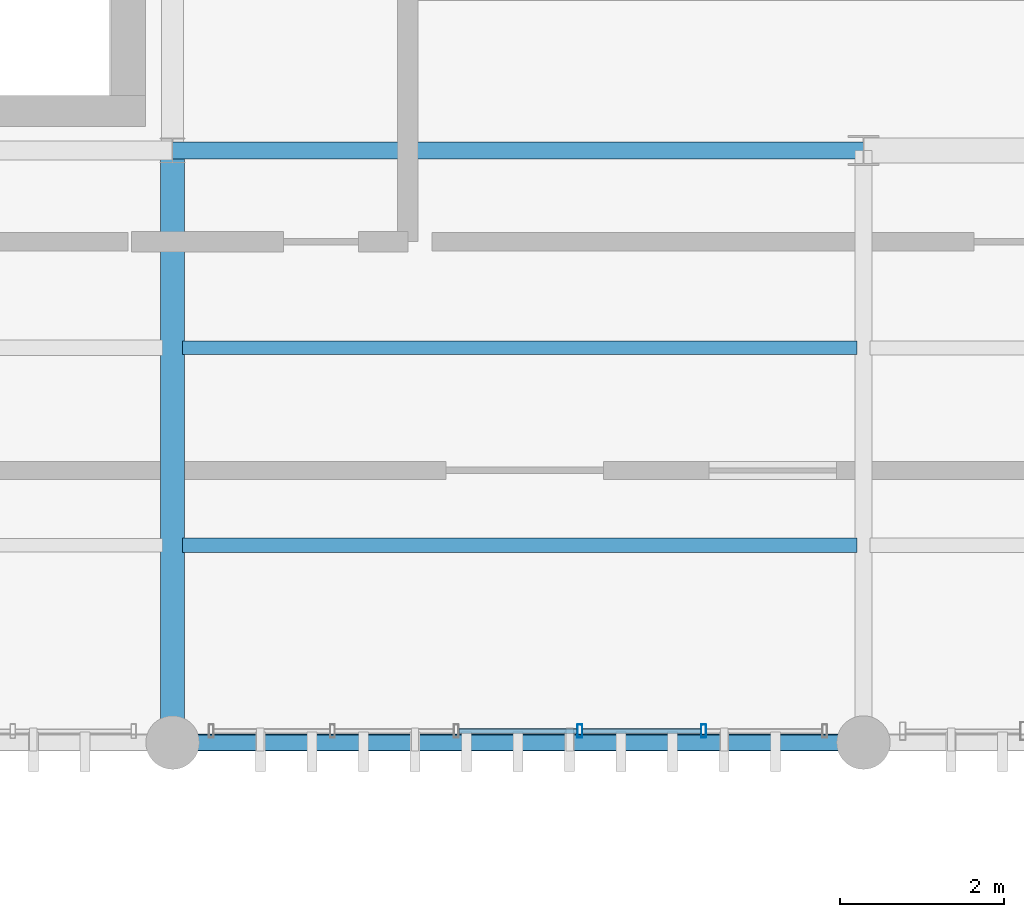
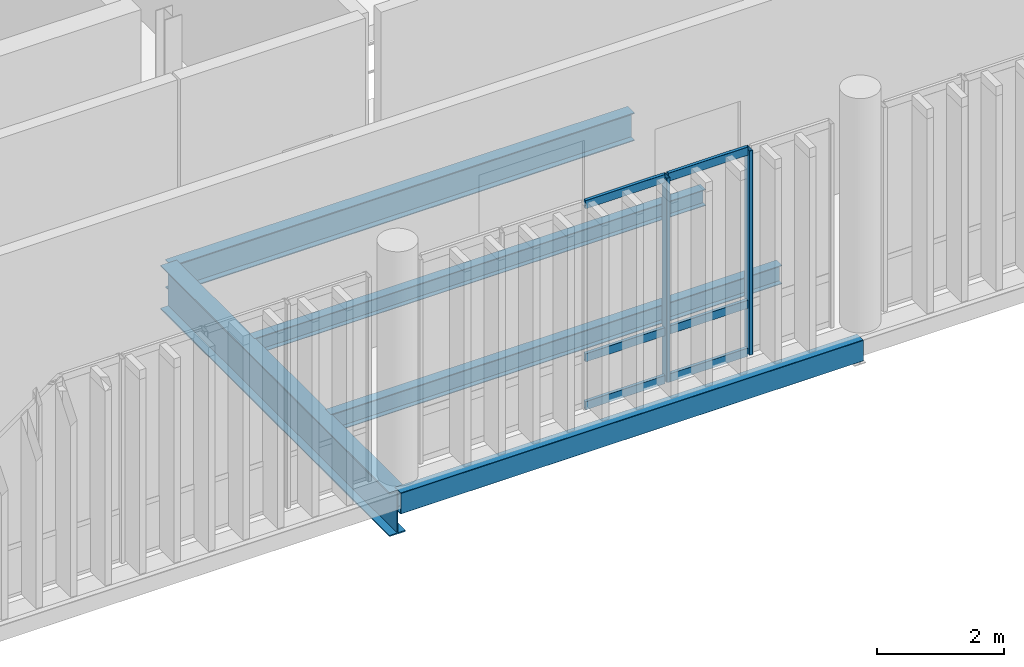
# One storey, part 17 of 66: 8 members, 5 beams, 1 element without a shape of its own.
"""IFC4 building model written with IfcOpenShell, lengths in metres."""

from ifc_helpers import new_model, si_unit, direction, frame, origin_with_axes, origin_2d_with_axis, place, context, subcontext, project, spatial, hollow_rectangle, i_section, extrude, material, material_profile, profile_set, type_object, element, aggregate, save


model = new_model("IFC4")

# Units and contexts
model_context = context("Model", 3, precision=1e-05, world=origin_with_axes(), true_north=direction((0.0, 1.0)))
body_context = subcontext(model_context, "Body", "Model", "MODEL_VIEW")
ifc_project = project(units=[si_unit("LENGTHUNIT", "METRE"), si_unit("AREAUNIT", "SQUARE_METRE"), si_unit("VOLUMEUNIT", "CUBIC_METRE"), si_unit("PLANEANGLEUNIT", "RADIAN"), si_unit("MASSUNIT", "GRAM", prefix="KILO"), si_unit("THERMODYNAMICTEMPERATUREUNIT", "KELVIN")], contexts=[model_context])

# Site, building, storey
site_placement = place(None, origin_with_axes())
site = spatial("IfcSite", under=ifc_project, at=site_placement, CompositionType="ELEMENT")
building_placement = place(site_placement, origin_with_axes())
building = spatial("IfcBuilding", under=site, at=building_placement, Name="Montbau Bow Law Courts", CompositionType="ELEMENT")
storey_placement = place(building_placement, frame((0.0, 0.0, 34.5), z_axis=(0.0, 0.0, 1.0), x_axis=(1.0, 0.0, 0.0)))
storey = spatial("IfcBuildingStorey", under=building, at=storey_placement, Name="L07", CompositionType="ELEMENT", Elevation=34.5)

# Beams
ifc_material_1 = material(Name="Steel CSA G40.21 Grade 350W (350 MPa)", Category="steel")
ifc_material_profile_1 = material_profile(ifc_material_1, i_section(OverallWidth=0.293, OverallDepth=0.846, WebThickness=0.0154, FlangeThickness=0.0244, at=origin_2d_with_axis()), Name="W840X210", Category="Main", Priority=0)
ifc_profile_set_1 = profile_set([ifc_material_profile_1], Name="Steel CSA G40.21 Grade 350W (350 MPa)")
beam_type_1 = type_object("IfcBeamType", Name="B-FLR-02", PredefinedType="BEAM", material=ifc_profile_set_1)
beam_1_placement = place(None, frame((63.6, 39.0, 33.777), z_axis=(0.0, 1.0, 0.0), x_axis=(-1.0, 0.0, 0.0)))
element("IfcBeam", 1, at=beam_1_placement, inside=storey, type_object=beam_type_1, Name="BM-L07-S1045:bm2_1048", PredefinedType="BEAM", context=body_context, shape_type="SweptSolid", body=[
    extrude(i_section(OverallWidth=0.293, OverallDepth=0.846, WebThickness=0.0154, FlangeThickness=0.0244, at=origin_2d_with_axis()), origin_with_axes(), (0.0, 0.0, 1.0), 7.2),
])
ifc_material_profile_2 = material_profile(ifc_material_1, i_section(OverallWidth=0.21, OverallDepth=0.537, WebThickness=0.0109, FlangeThickness=0.0174, at=origin_2d_with_axis()), Name="W530X101", Category="Main", Priority=0)
ifc_profile_set_2 = profile_set([ifc_material_profile_2], Name="Steel CSA G40.21 Grade 350W (350 MPa)")
beam_type_2 = type_object("IfcBeamType", Name="B-FLR-06", PredefinedType="BEAM", material=ifc_profile_set_2)
beam_2_placement = place(None, frame((63.6, 46.2, 33.931), z_axis=(1.0, 0.0, 0.0), x_axis=(0.0, 1.0, 0.0)))
element("IfcBeam", 2, at=beam_2_placement, inside=storey, type_object=beam_type_2, Name="BM-L07-S1025:bm2_1028", PredefinedType="BEAM", context=body_context, shape_type="SweptSolid", body=[
    extrude(i_section(OverallWidth=0.21, OverallDepth=0.537, WebThickness=0.0109, FlangeThickness=0.0174, at=origin_2d_with_axis()), origin_with_axes(), (0.0, 0.0, 1.0), 8.4),
])
ifc_material_profile_3 = material_profile(ifc_material_1, i_section(OverallWidth=0.172, OverallDepth=0.358, WebThickness=0.0079, FlangeThickness=0.0131, at=origin_2d_with_axis()), Name="W360X57", Category="Main", Priority=0)
ifc_profile_set_3 = profile_set([ifc_material_profile_3], Name="Steel CSA G40.21 Grade 350W (350 MPa)")
beam_type_3 = type_object("IfcBeamType", Name="B-JST-03", PredefinedType="JOIST", material=ifc_profile_set_3)
beam_3_placement = place(None, frame((63.723, 41.4, 34.021), z_axis=(1.0, 0.0, 0.0), x_axis=(0.0, 1.0, 0.0)))
element("IfcBeam", 3, at=beam_3_placement, inside=storey, type_object=beam_type_3, Name="JST-L07-S0530:jst2_0530", PredefinedType="JOIST", context=body_context, shape_type="SweptSolid", body=[
    extrude(i_section(OverallWidth=0.172, OverallDepth=0.358, WebThickness=0.0079, FlangeThickness=0.0131, at=origin_2d_with_axis()), origin_with_axes(), (0.0, 0.0, 1.0), 8.196),
])
ifc_material_profile_4 = material_profile(ifc_material_1, i_section(OverallWidth=0.166, OverallDepth=0.313, WebThickness=0.0066, FlangeThickness=0.0112, at=origin_2d_with_axis()), Name="W310X45", Category="Main", Priority=0)
ifc_profile_set_4 = profile_set([ifc_material_profile_4], Name="Steel CSA G40.21 Grade 350W (350 MPa)")
beam_type_4 = type_object("IfcBeamType", Name="B-JST-04", PredefinedType="JOIST", material=ifc_profile_set_4)
beam_4_placement = place(None, frame((63.723, 43.8, 34.044), z_axis=(1.0, 0.0, 0.0), x_axis=(0.0, 1.0, 0.0)))
element("IfcBeam", 4, at=beam_4_placement, inside=storey, type_object=beam_type_4, Name="JST-L07-S0531:jst2_0531", PredefinedType="JOIST", context=body_context, shape_type="SweptSolid", body=[
    extrude(i_section(OverallWidth=0.166, OverallDepth=0.313, WebThickness=0.0066, FlangeThickness=0.0112, at=origin_2d_with_axis()), origin_with_axes(), (0.0, 0.0, 1.0), 8.196),
])
ifc_material_2 = material(Name="Steel CSA G40.21 Grade 350WT (350 MPa)", Category="steel")
ifc_material_profile_5 = material_profile(ifc_material_2, hollow_rectangle(XDim=0.203, YDim=0.406, WallThickness=0.0127, InnerFilletRadius=0.0254, OuterFilletRadius=0.0127, at=origin_2d_with_axis()), Name="HSS406X203X13", Category="Main", Priority=0)
ifc_profile_set_5 = profile_set([ifc_material_profile_5], Name="Steel CSA G40.21 Grade 350WT (350 MPa)")
beam_type_5 = type_object("IfcBeamType", Name="B-SPN-01", PredefinedType="SPANDREL", material=ifc_profile_set_5)
beam_5_placement = place(None, frame((63.6, 39.0, 33.997), z_axis=(1.0, 0.0, 0.0), x_axis=(0.0, 1.0, 0.0)))
element("IfcBeam", 5, at=beam_5_placement, inside=storey, type_object=beam_type_5, Name="SPN-L07-S1019:bm2_1022", PredefinedType="SPANDREL", context=body_context, shape_type="SweptSolid", body=[
    extrude(hollow_rectangle(XDim=0.203, YDim=0.406, WallThickness=0.0127, InnerFilletRadius=0.0254, OuterFilletRadius=0.0127, at=origin_2d_with_axis()), origin_with_axes(), (0.0, 0.0, 1.0), 8.4),
])

# Curtain wall, members
ifc_material_3 = material(Name="Thermally Broken Extruded Aluminium AA 6063-T6", Category="aluminium")
curtain_wall_type = type_object("IfcCurtainWallType", Name="CW-CRM-02", PredefinedType="NOTDEFINED", material=ifc_material_3)
curtain_wall_placement = place(None, frame((64.04, 39.14, 34.5), z_axis=(0.0, 0.0, 1.0), x_axis=(1.0, 0.0, 0.0)))
curtain_wall = element("IfcCurtainWall", 6, at=curtain_wall_placement, inside=storey, type_object=curtain_wall_type, Name="CW-L07-242:cw_0242", PredefinedType="NOTDEFINED")
ifc_material_profile_6 = material_profile(ifc_material_3, hollow_rectangle(XDim=0.06, YDim=0.16, WallThickness=0.004, InnerFilletRadius=0.008, OuterFilletRadius=0.004, at=origin_2d_with_axis()), Name="CWM-160X60", Category="Main", Priority=0)
ifc_profile_set_6 = profile_set([ifc_material_profile_6], Name="Thermally Broken Extruded Aluminium AA 6063-T6")
member_type_1 = type_object("IfcMemberType", Name="M-MUL-03", PredefinedType="MULLION", material=ifc_profile_set_6)
member_1_placement = place(None, frame((68.552, 39.14, 34.5), z_axis=(0.0, 0.0, 1.0), x_axis=(1.0, 0.0, 0.0)))
member_1 = element("IfcMember", 7, at=member_1_placement, type_object=member_type_1, Name="CW-L07-242-M04:cw_0242_M04", PredefinedType="MULLION", context=body_context, shape_type="SweptSolid", body=[
    extrude(hollow_rectangle(XDim=0.06, YDim=0.16, WallThickness=0.004, InnerFilletRadius=0.008, OuterFilletRadius=0.004, at=origin_2d_with_axis()), origin_with_axes(), (0.0, 0.0, 1.0), 3.92),
])
member_2_placement = place(None, frame((70.056, 39.14, 34.5), z_axis=(0.0, 0.0, 1.0), x_axis=(1.0, 0.0, 0.0)))
member_2 = element("IfcMember", 8, at=member_2_placement, type_object=member_type_1, Name="CW-L07-242-M05:cw_0242_M05", PredefinedType="MULLION", context=body_context, shape_type="SweptSolid", body=[
    extrude(hollow_rectangle(XDim=0.06, YDim=0.16, WallThickness=0.004, InnerFilletRadius=0.008, OuterFilletRadius=0.004, at=origin_2d_with_axis()), origin_with_axes(), (0.0, 0.0, 1.0), 3.92),
])
ifc_material_profile_7 = material_profile(ifc_material_3, hollow_rectangle(XDim=0.06, YDim=0.16, WallThickness=0.004, InnerFilletRadius=0.008, OuterFilletRadius=0.004, at=origin_2d_with_axis()), Name="CWT-160X60", Category="Main", Priority=0)
ifc_profile_set_7 = profile_set([ifc_material_profile_7], Name="Thermally Broken Extruded Aluminium AA 6063-T6")
member_type_2 = type_object("IfcMemberType", Name="M-TRN-01", PredefinedType="USERDEFINED", material=ifc_profile_set_7)
member_3_placement = place(None, frame((67.08, 39.14, 34.53), z_axis=(1.0, 0.0, 0.0), x_axis=(0.0, 1.0, 0.0)))
member_3 = element("IfcMember", 9, at=member_3_placement, type_object=member_type_2, Name="CW-L07-242-T03-1:cw_0242_T03_1", ObjectType="TRANSOM", PredefinedType="USERDEFINED", context=body_context, shape_type="SweptSolid", body=[
    extrude(hollow_rectangle(XDim=0.06, YDim=0.16, WallThickness=0.004, InnerFilletRadius=0.008, OuterFilletRadius=0.004, at=origin_2d_with_axis()), origin_with_axes(), (0.0, 0.0, 1.0), 1.44),
])
member_4_placement = place(None, frame((67.08, 39.14, 35.45), z_axis=(1.0, 0.0, 0.0), x_axis=(0.0, 1.0, 0.0)))
member_4 = element("IfcMember", 10, at=member_4_placement, type_object=member_type_2, Name="CW-L07-242-T03-2:cw_0242_T03_2", ObjectType="TRANSOM", PredefinedType="USERDEFINED", context=body_context, shape_type="SweptSolid", body=[
    extrude(hollow_rectangle(XDim=0.06, YDim=0.16, WallThickness=0.004, InnerFilletRadius=0.008, OuterFilletRadius=0.004, at=origin_2d_with_axis()), origin_with_axes(), (0.0, 0.0, 1.0), 1.44),
])
member_5_placement = place(None, frame((67.08, 39.14, 38.39), z_axis=(1.0, 0.0, 0.0), x_axis=(0.0, 1.0, 0.0)))
member_5 = element("IfcMember", 11, at=member_5_placement, type_object=member_type_2, Name="CW-L07-242-T03-3:cw_0242_T03_3", ObjectType="TRANSOM", PredefinedType="USERDEFINED", context=body_context, shape_type="SweptSolid", body=[
    extrude(hollow_rectangle(XDim=0.06, YDim=0.16, WallThickness=0.004, InnerFilletRadius=0.008, OuterFilletRadius=0.004, at=origin_2d_with_axis()), origin_with_axes(), (0.0, 0.0, 1.0), 1.44),
])
member_6_placement = place(None, frame((68.584, 39.14, 34.53), z_axis=(1.0, 0.0, 0.0), x_axis=(0.0, 1.0, 0.0)))
member_6 = element("IfcMember", 12, at=member_6_placement, type_object=member_type_2, Name="CW-L07-242-T04-1:cw_0242_T04_1", ObjectType="TRANSOM", PredefinedType="USERDEFINED", context=body_context, shape_type="SweptSolid", body=[
    extrude(hollow_rectangle(XDim=0.06, YDim=0.16, WallThickness=0.004, InnerFilletRadius=0.008, OuterFilletRadius=0.004, at=origin_2d_with_axis()), origin_with_axes(), (0.0, 0.0, 1.0), 1.44),
])
member_7_placement = place(None, frame((68.584, 39.14, 35.45), z_axis=(1.0, 0.0, 0.0), x_axis=(0.0, 1.0, 0.0)))
member_7 = element("IfcMember", 13, at=member_7_placement, type_object=member_type_2, Name="CW-L07-242-T04-2:cw_0242_T04_2", ObjectType="TRANSOM", PredefinedType="USERDEFINED", context=body_context, shape_type="SweptSolid", body=[
    extrude(hollow_rectangle(XDim=0.06, YDim=0.16, WallThickness=0.004, InnerFilletRadius=0.008, OuterFilletRadius=0.004, at=origin_2d_with_axis()), origin_with_axes(), (0.0, 0.0, 1.0), 1.44),
])
member_8_placement = place(None, frame((68.584, 39.14, 38.39), z_axis=(1.0, 0.0, 0.0), x_axis=(0.0, 1.0, 0.0)))
member_8 = element("IfcMember", 14, at=member_8_placement, type_object=member_type_2, Name="CW-L07-242-T04-3:cw_0242_T04_3", ObjectType="TRANSOM", PredefinedType="USERDEFINED", context=body_context, shape_type="SweptSolid", body=[
    extrude(hollow_rectangle(XDim=0.06, YDim=0.16, WallThickness=0.004, InnerFilletRadius=0.008, OuterFilletRadius=0.004, at=origin_2d_with_axis()), origin_with_axes(), (0.0, 0.0, 1.0), 1.44),
])
aggregate(curtain_wall, [member_1, member_2, member_3, member_4, member_5, member_6, member_7, member_8])

save(model, "model.ifc")
